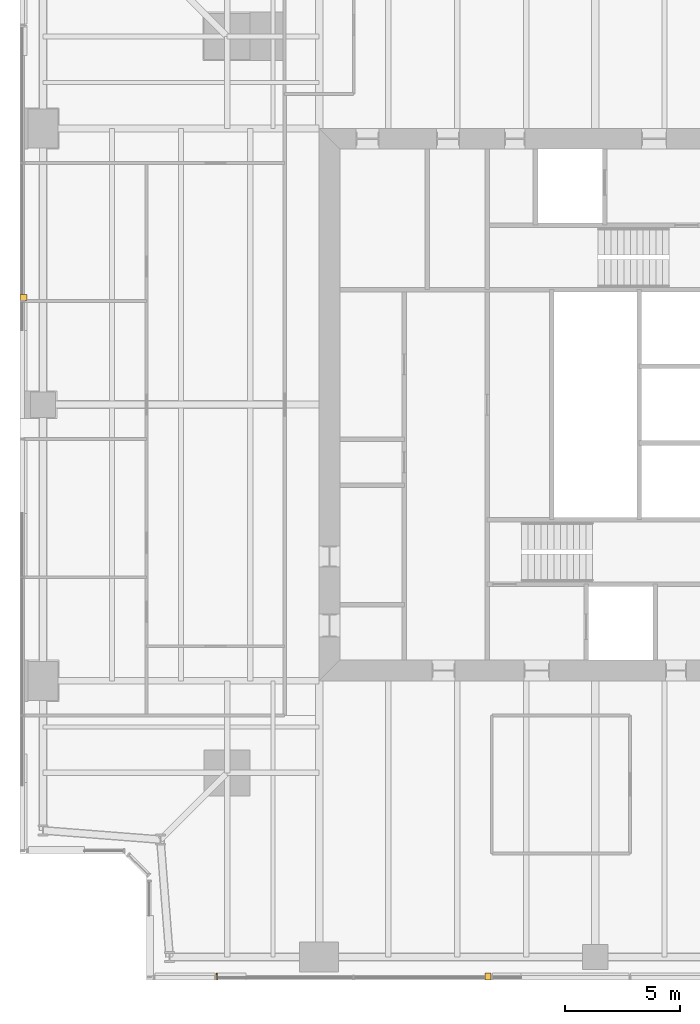
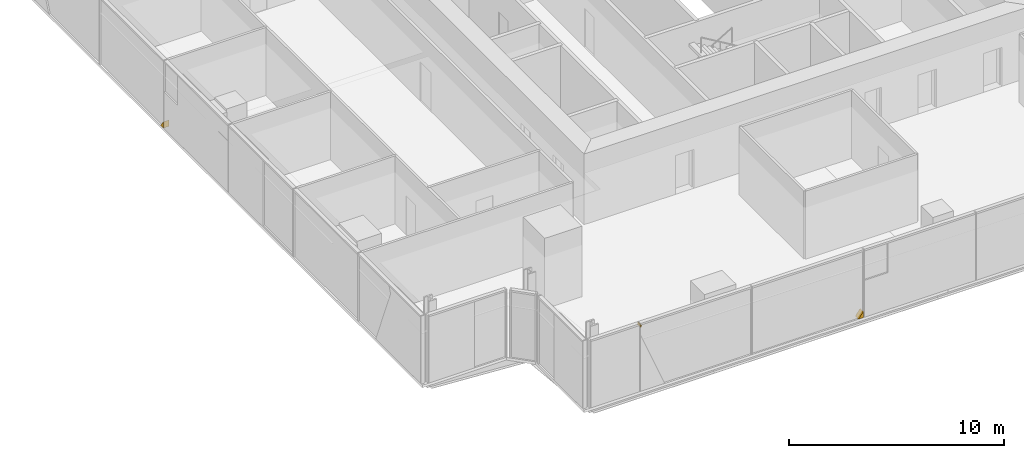
# One storey, part 14 of 16: 3 coverings.
"""IFC4 building model written with IfcOpenShell, lengths in metres."""

from ifc_helpers import new_model, si_unit, direction, frame, origin, place, context, subcontext, project, spatial, polyline, outline, extrude, material, layer, layer_set, type_object, element, save


model = new_model("IFC4")

# Units and contexts
model_context = context("Model", 3, precision=1e-05, world=origin(), true_north=direction((0.0, 1.0)))
body_context = subcontext(model_context, "Body", "Model", "MODEL_VIEW")
ifc_project = project(units=[si_unit("LENGTHUNIT", "METRE"), si_unit("AREAUNIT", "SQUARE_METRE"), si_unit("VOLUMEUNIT", "CUBIC_METRE"), si_unit("PLANEANGLEUNIT", "RADIAN"), si_unit("MASSUNIT", "GRAM", prefix="KILO")], contexts=[model_context])

# Site, building, storey
site_placement = place(None, origin())
site = spatial("IfcSite", under=ifc_project, at=site_placement, CompositionType="ELEMENT")
building_placement = place(site_placement, origin())
building = spatial("IfcBuilding", under=site, at=building_placement, Name="Fenwick Lantern Interchange", CompositionType="ELEMENT")
storey_placement = place(building_placement, frame((0.0, 0.0, 213.800048828125)))
storey = spatial("IfcBuildingStorey", under=building, at=storey_placement, Name="L50", CompositionType="ELEMENT", Elevation=213.800048828125)

# Coverings
ifc_material = material(Name="Granite cladding, warm grey flamed finish, on aluminium carrier frame", Category="masonry")
ifc_layer = layer(ifc_material, 0.300048828125)
ifc_layer_set = layer_set([ifc_layer], Name="BRACE CASING PANEL 300")
covering_type = type_object("IfcCoveringType", Name="BRACE CASING PANEL 300", PredefinedType="CLADDING", material=ifc_layer_set)
covering_placement = place(storey_placement, frame((5.60009765625, 0.10009765625, 3.608154296875), z_axis=(0.0, 0.0, 1.0), x_axis=(1.0, 0.0, 0.0)))
element("IfcCovering", 1, at=covering_placement, inside=storey, type_object=covering_type, Name="Brace casing 01 bay 01b", PredefinedType="CLADDING", context=body_context, shape_type="SweptSolid", body=[
    extrude(outline(polyline([(2.9326171875, 0.0), (2.990478515625, 0.141845703125), (2.9326171875, 0.141845703125), (2.9326171875, 0.0)])), frame((0.0, 0.2001953125, 0.0), z_axis=(0.0, -1.0, 0.0), x_axis=(1.0, 0.0, 0.0)), (0.0, 0.0, 1.0), 0.300048828125),
])
for number, where, z_axis, x_axis, name in (
    (2, (5.60009765625, 0.10009765625, 0.0), (0.0, 0.0, 1.0), (1.0, 0.0, 0.0), "Brace casing 01 bay 02a"),
    (3, (0.10009765625, 44.39990234375, 0.0), (0.0, 0.0, 1.0), (0.0, -1.0, 0.0), "Brace casing 13 bay 02a"),
):
    element("IfcCovering", number, at=place(storey_placement, frame(where, z_axis=z_axis, x_axis=x_axis)), inside=storey, type_object=covering_type, Name=name, PredefinedType="CLADDING", context=body_context, shape_type="SweptSolid", body=[
        extrude(outline(polyline([(14.6044921875, 0.0), (14.867431640625, 0.0), (14.867431640625, 0.3505859375), (14.6044921875, 0.0)])), frame((0.0, 0.2001953125, 0.0), z_axis=(0.0, -1.0, 0.0), x_axis=(1.0, 0.0, 0.0)), (0.0, 0.0, 1.0), 0.300048828125),
    ])

save(model, "model.ifc")
